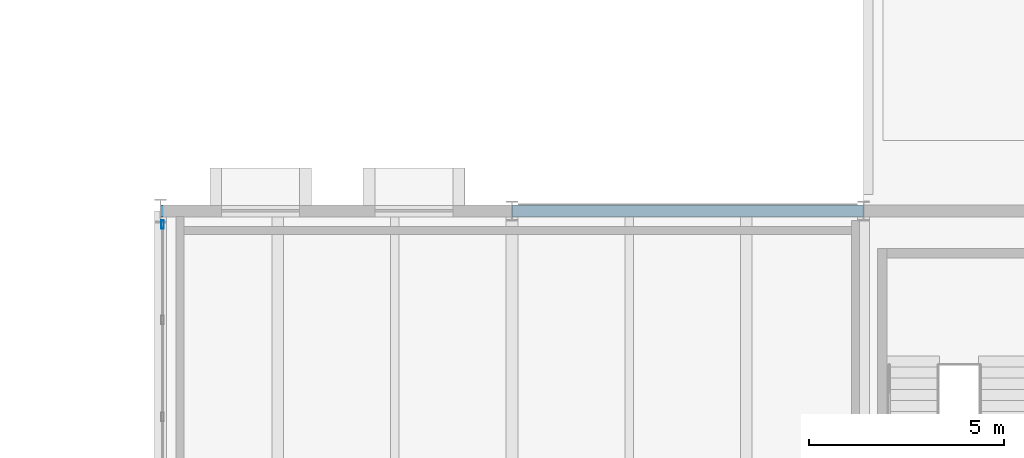
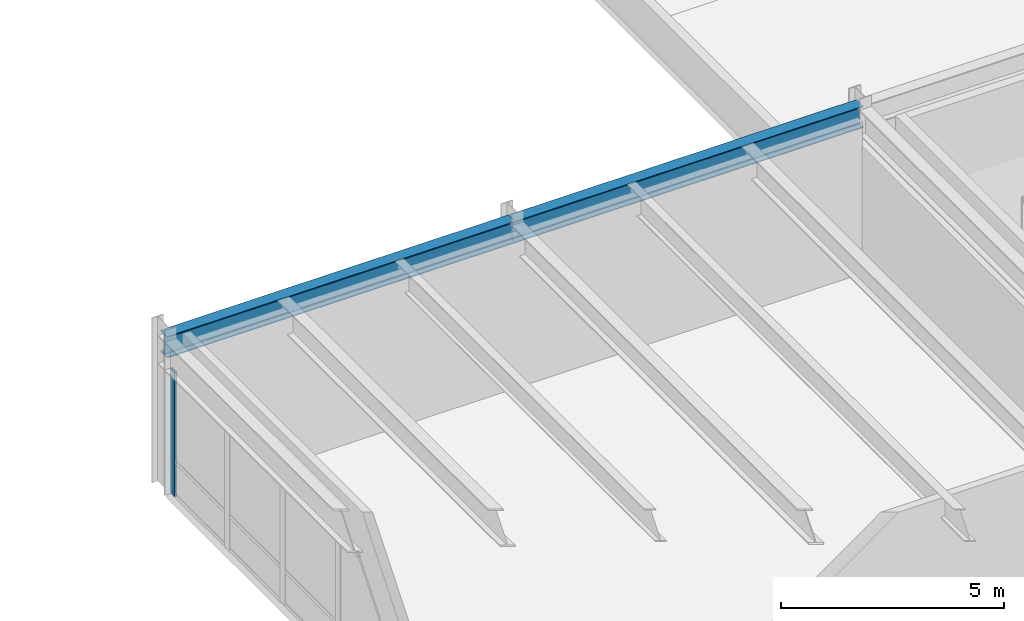
# One storey, part 84 of 115: 2 beams, 1 member, 1 element without a shape of its own.
"""IFC4 building model written with IfcOpenShell, lengths in metres."""

from ifc_helpers import new_model, si_unit, direction, frame, origin, origin_2d, place, context, subcontext, project, spatial, hollow_rectangle, i_section, extrude, material, layer, layer_set, material_profile, profile_set, type_object, element, aggregate, save


model = new_model("IFC4")

# Units and contexts
model_context = context("Model", 3, precision=1e-05, world=origin(), true_north=direction((0.0, 1.0)))
body_context = subcontext(model_context, "Body", "Model", "MODEL_VIEW")
ifc_project = project(units=[si_unit("LENGTHUNIT", "METRE"), si_unit("AREAUNIT", "SQUARE_METRE"), si_unit("VOLUMEUNIT", "CUBIC_METRE"), si_unit("PLANEANGLEUNIT", "RADIAN"), si_unit("MASSUNIT", "GRAM", prefix="KILO")], contexts=[model_context])

# Site, building, storey
site_placement = place(None, origin())
site = spatial("IfcSite", under=ifc_project, at=site_placement, CompositionType="ELEMENT")
building_placement = place(site_placement, origin())
building = spatial("IfcBuilding", under=site, at=building_placement, Name="Montelvaro Courts of Justice", CompositionType="ELEMENT")
storey_placement = place(building_placement, frame((0.0, 0.0, 9.89990234375)))
storey = spatial("IfcBuildingStorey", under=building, at=storey_placement, Name="L02", CompositionType="ELEMENT", Elevation=9.89990234375)

# Beams
ifc_material_1 = material(Name="Steel S355", Category="steel")
ifc_material_profile_1 = material_profile(ifc_material_1, i_section(OverallWidth=0.300048828125, OverallDepth=0.590087890625, WebThickness=0.012939453125, FlangeThickness=0.02490234375, at=origin_2d()), Name="HEA 600")
ifc_profile_set_1 = profile_set([ifc_material_profile_1], Name="Steel S355")
beam_type = type_object("IfcBeamType", Name="Beam_HEA600", PredefinedType="USERDEFINED", material=ifc_profile_set_1)
for number, where, z_axis, x_axis, name in (
    (1, (99.0, 96.0, 3.905029296875), (1.0, 0.0, 0.0), (0.0, 1.0, 0.0), "Beam B-21 L02"),
    (2, (108.0, 96.0, 3.905029296875), (1.0, 0.0, 0.0), (0.0, 1.0, 0.0), "Beam B-21 L02"),
):
    element("IfcBeam", number, at=place(storey_placement, frame(where, z_axis=z_axis, x_axis=x_axis)), inside=storey, type_object=beam_type, Name=name, ObjectType="GIRDER", PredefinedType="USERDEFINED", context=body_context, shape_type="SweptSolid", body=[
        extrude(i_section(OverallWidth=0.300048828125, OverallDepth=0.590087890625, WebThickness=0.012939453125, FlangeThickness=0.02490234375, at=origin_2d()), origin(), (0.0, 0.0, 1.0), 9.0),
    ])

# Curtain wall, member
ifc_material_2 = material(Name="Anodised aluminium EN AW-6063", Category="aluminium")
ifc_layer = layer(ifc_material_2, 0.159912109375)
ifc_layer_set = layer_set([ifc_layer], Name="Anodised aluminium EN AW-6063")
curtain_wall_type = type_object("IfcCurtainWallType", Name="CurtainWall_27_1737x418", PredefinedType="USERDEFINED", material=ifc_layer_set)
curtain_wall_placement = place(storey_placement, origin())
curtain_wall = element("IfcCurtainWall", 3, at=curtain_wall_placement, inside=storey, type_object=curtain_wall_type, Name="Curtain Wall CW-27 (L02)", ObjectType="CURTAIN WALL", PredefinedType="USERDEFINED")
ifc_material_profile_2 = material_profile(ifc_material_2, hollow_rectangle(XDim=0.06494140625, YDim=0.2099609375, WallThickness=0.0048828125, at=origin_2d()), Name="ALU-M 65x210")
ifc_profile_set_2 = profile_set([ifc_material_profile_2], Name="Anodised aluminium EN AW-6063")
member_type = type_object("IfcMemberType", Name="CurtainWall_Mullion_65x210", PredefinedType="MULLION", material=ifc_profile_set_2)
member_placement = place(storey_placement, frame((99.050048828125, 95.652587890625, 0.0), z_axis=(0.0, 0.0, 1.0), x_axis=(1.0, 0.0, 0.0)))
member = element("IfcMember", 4, at=member_placement, type_object=member_type, Name="CW-27 mullion 1", PredefinedType="MULLION", context=body_context, shape_type="SweptSolid", body=[
    extrude(hollow_rectangle(XDim=0.06494140625, YDim=0.2099609375, WallThickness=0.0048828125, at=origin_2d()), origin(), (0.0, 0.0, 1.0), 3.39501953125),
])
aggregate(curtain_wall, [member])

save(model, "model.ifc")
